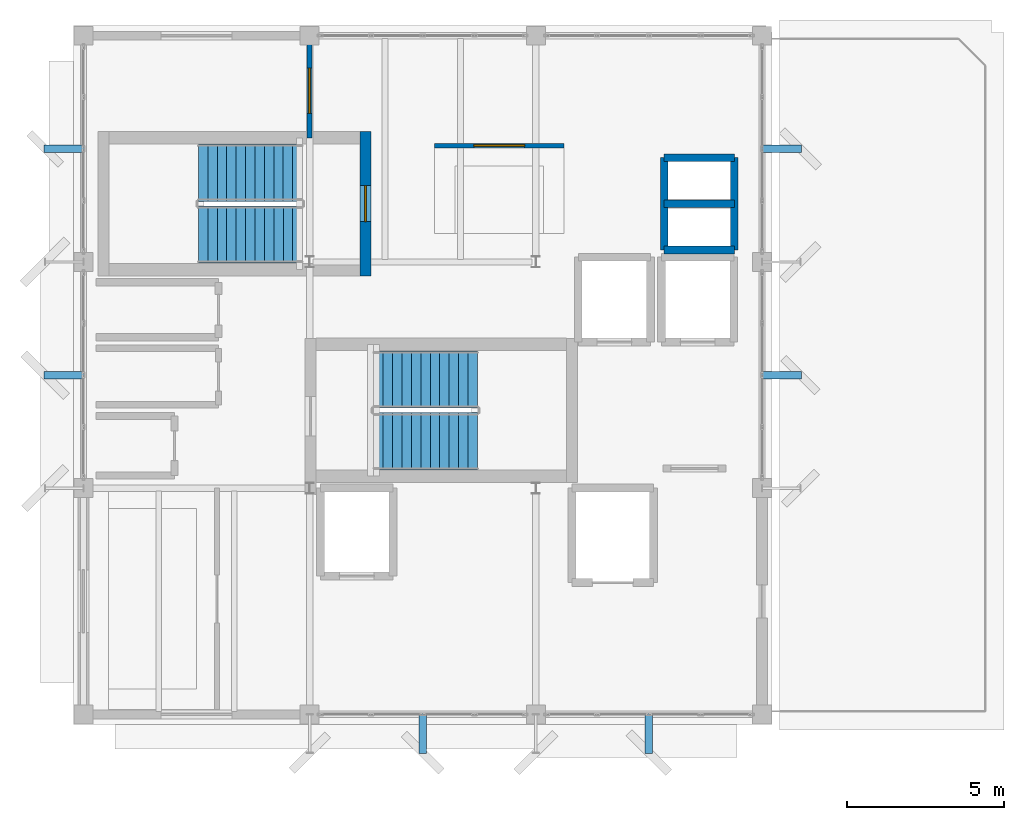
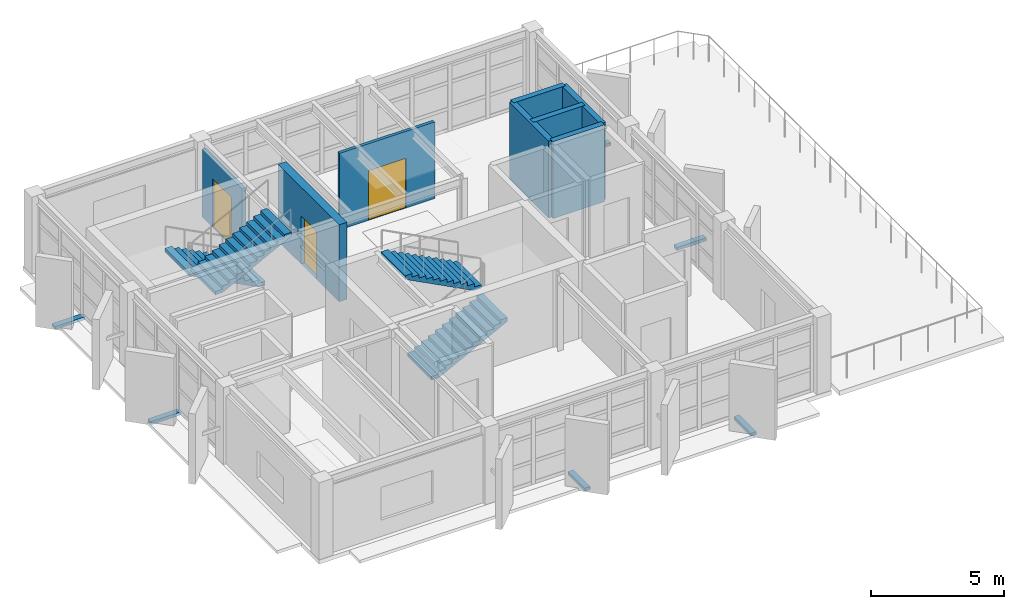
# One storey, part 10 of 13: 8 walls, 6 discrete accessories, 4 stair flights, 3 doors, 3 openings, 2 elements without a shape of their own.
"""IFC4 building model written with IfcOpenShell, lengths in metres."""

from ifc_helpers import new_model, si_unit, direction, frame, frame_2d, origin, origin_2d, place, context, subcontext, project, spatial, polyline, rectangle, outline, extrude, material, layer, layer_set, type_object, element, fill, aggregate, save


model = new_model("IFC4")

# Units and contexts
model_context = context("Model", 3, precision=1e-05, world=origin(), true_north=direction((0.0, 1.0)))
body_context = subcontext(model_context, "Body", "Model", "MODEL_VIEW")
ifc_project = project(units=[si_unit("LENGTHUNIT", "METRE"), si_unit("AREAUNIT", "SQUARE_METRE"), si_unit("VOLUMEUNIT", "CUBIC_METRE"), si_unit("PLANEANGLEUNIT", "RADIAN"), si_unit("MASSUNIT", "GRAM", prefix="KILO")], contexts=[model_context])

# Site, building, storey
site_placement = place(None, origin())
site = spatial("IfcSite", under=ifc_project, at=site_placement, CompositionType="ELEMENT")
building_placement = place(site_placement, origin())
building = spatial("IfcBuilding", under=site, at=building_placement, Name="Kandorven Conservatory and Botanical Research Centre", CompositionType="ELEMENT")
storey_placement = place(building_placement, frame((0.0, 0.0, 59.39990234375)))
storey = spatial("IfcBuildingStorey", under=building, at=storey_placement, Name="L15", CompositionType="ELEMENT", Elevation=59.39990234375)

# Wall, opening, door
ifc_material_1 = material(Name="Concrete C40/50 (M50)", Category="concrete")
ifc_layer_1 = layer(ifc_material_1, 0.35009765625)
ifc_layer_set_1 = layer_set([ifc_layer_1], Name="Concrete C40/50 (M50)")
wall_type_1 = type_object("IfcWallType", Name="Wall_CW-RC-2", PredefinedType="SHEAR", material=ifc_layer_set_1)
wall_1_placement = place(storey_placement, frame((14.97509765625, 24.550048828125, 0.0), z_axis=(0.0, 0.0, 1.0), x_axis=(0.0, -1.0, 0.0)))
wall_1 = element("IfcWall", 1, at=wall_1_placement, inside=storey, type_object=wall_type_1, Name="Core stair shear wall CW-RC-2 ST-T2 L15 entry", PredefinedType="SHEAR", context=body_context, shape_type="SweptSolid", body=[
    extrude(rectangle(XDim=4.590087890625, YDim=0.35009765625, at=frame_2d((2.294921875, 0.0))), origin(), (0.0, 0.0, 1.0), 3.530029296875),
])
opening_1_placement = place(wall_1_placement, frame((1.719970703125, 0.0, 0.0)))
opening_1 = element("IfcOpeningElement", 2, at=opening_1_placement, cuts=wall_1, Name="Opening FD-2", PredefinedType="OPENING", context=body_context, shape_type="SweptSolid", body=[
    extrude(rectangle(XDim=1.14990234375, YDim=2.199951171875, at=frame_2d((0.574951171875, 1.10009765625))), frame((0.0, 0.18505859375, 0.0), z_axis=(0.0, -1.0, 0.0), x_axis=(1.0, 0.0, 0.0)), (0.0, 0.0, 1.0), 0.3701171875),
])
ifc_material_2 = material(Name="Galvanised hollow steel fire door assembly", Category="steel")
door_type_1 = type_object("IfcDoorType", Name="Door_FD-2", OperationType="NOTDEFINED", PredefinedType="DOOR", material=ifc_material_2)
door_1_placement = place(opening_1_placement, origin())
door_1 = element("IfcDoor", 3, at=door_1_placement, inside=storey, type_object=door_type_1, Name="Exit stair fire door FD-2 ST-T2 L15", OperationType="SINGLE_SWING_RIGHT", OverallHeight=2.199951171875, OverallWidth=1.14990234375, PredefinedType="DOOR", context=body_context, shape_type="SweptSolid", body=[
    extrude(rectangle(XDim=1.14990234375, YDim=2.199951171875, at=frame_2d((0.574951171875, 1.10009765625))), frame((0.0, 0.02490234375, 0.0), z_axis=(0.0, -1.0, 0.0), x_axis=(1.0, 0.0, 0.0)), (0.0, 0.0, 1.0), 0.050048828125),
])
fill(opening_1, door_1)

# Walls
for number, where, z_axis, x_axis, name in (
    (4, (24.47998046875, 20.780029296875, 0.0), (0.0, 0.0, 1.0), (1.0, 0.0, 0.0), "Core MEP riser shaft wall CW-RC-2 L15 S"),
    (5, (24.47998046875, 22.25, 0.0), (0.0, 0.0, 1.0), (1.0, 0.0, 0.0), "Core MEP riser shaft wall CW-RC-2 L15 M"),
    (6, (24.47998046875, 23.719970703125, 0.0), (0.0, 0.0, 1.0), (1.0, 0.0, 0.0), "Core MEP riser shaft wall CW-RC-2 L15 N"),
):
    element("IfcWall", number, at=place(storey_placement, frame(where, z_axis=z_axis, x_axis=x_axis)), inside=storey, type_object=wall_type_1, Name=name, PredefinedType="SHEAR", context=body_context, shape_type="SweptSolid", body=[
        extrude(rectangle(XDim=2.239990234375, YDim=0.239990234375, at=frame_2d((1.1201171875, 0.0))), origin(), (0.0, 0.0, 1.0), 3.530029296875),
    ])
for number, where, z_axis, x_axis, name in (
    (7, (24.47998046875, 20.780029296875, 0.0), (0.0, 0.0, 1.0), (0.0, 1.0, 0.0), "Core MEP riser shaft wall CW-RC-2 L15 W"),
    (8, (26.719970703125, 20.780029296875, 0.0), (0.0, 0.0, 1.0), (0.0, 1.0, 0.0), "Core MEP riser shaft wall CW-RC-2 L15 E"),
):
    element("IfcWall", number, at=place(storey_placement, frame(where, z_axis=z_axis, x_axis=x_axis)), inside=storey, type_object=wall_type_1, Name=name, PredefinedType="SHEAR", context=body_context, shape_type="SweptSolid", body=[
        extrude(rectangle(XDim=2.93994140625, YDim=0.239990234375, at=frame_2d((1.469970703125, 0.0))), origin(), (0.0, 0.0, 1.0), 3.530029296875),
    ])

# Wall, opening, door
ifc_material_3 = material(Name="Autoclaved aerated concrete blockwork masonry", Category="masonry")
ifc_layer_2 = layer(ifc_material_3, 0.1650390625)
ifc_layer_set_2 = layer_set([ifc_layer_2], Name="Autoclaved aerated concrete blockwork masonry")
wall_type_2 = type_object("IfcWallType", Name="Wall_IW-04", PredefinedType="PARTITIONING", material=ifc_layer_set_2)
wall_2_placement = place(storey_placement, frame((13.199951171875, 24.35009765625, 0.0), z_axis=(0.0, 0.0, 1.0), x_axis=(0.0, 1.0, 0.0)))
wall_2 = element("IfcWall", 9, at=wall_2_placement, inside=storey, type_object=wall_type_2, Name="Interior partition wall IW-04 (Botanical Phenology Studio L15)", PredefinedType="PARTITIONING", context=body_context, shape_type="SweptSolid", body=[
    extrude(rectangle(XDim=3.0, YDim=0.1650390625, at=frame_2d((1.5, 0.0))), origin(), (0.0, 0.0, 1.0), 3.1201171875),
])
opening_2_placement = place(wall_2_placement, frame((0.780029296875, 0.0, 0.0)))
opening_2 = element("IfcOpeningElement", 10, at=opening_2_placement, cuts=wall_2, Name="Opening D-25", PredefinedType="OPENING", context=body_context, shape_type="SweptSolid", body=[
    extrude(rectangle(XDim=1.43994140625, YDim=2.239990234375, at=frame_2d((0.719970703125, 1.1201171875))), frame((0.0, 0.092529296875, 0.0), z_axis=(0.0, -1.0, 0.0), x_axis=(1.0, 0.0, 0.0)), (0.0, 0.0, 1.0), 0.18505859375),
])
ifc_material_4 = material(Name="Solid core acoustic teak-veneered timber leaf", Category="wood")
door_type_2 = type_object("IfcDoorType", Name="Door_D-25", OperationType="NOTDEFINED", PredefinedType="DOOR", material=ifc_material_4)
door_2_placement = place(opening_2_placement, origin())
door_2 = element("IfcDoor", 11, at=door_2_placement, inside=storey, type_object=door_type_2, Name="Interior door D-25 to Botanical Phenology Studio L15", OperationType="SINGLE_SWING_LEFT", OverallHeight=2.239990234375, OverallWidth=1.43994140625, PredefinedType="DOOR", context=body_context, shape_type="SweptSolid", body=[
    extrude(rectangle(XDim=1.43994140625, YDim=2.239990234375, at=frame_2d((0.719970703125, 1.1201171875))), frame((0.0, 0.02490234375, 0.0), z_axis=(0.0, -1.0, 0.0), x_axis=(1.0, 0.0, 0.0)), (0.0, 0.0, 1.0), 0.050048828125),
])
fill(opening_2, door_2)

ifc_material_5 = material(Name="Fire-rated acoustic gypsum board partition", Category="gypsum")
ifc_layer_3 = layer(ifc_material_5, 0.139892578125)
ifc_layer_set_3 = layer_set([ifc_layer_3], Name="Fire-rated acoustic gypsum board partition")
wall_type_3 = type_object("IfcWallType", Name="Wall_IW-06", PredefinedType="PARTITIONING", material=ifc_layer_set_3)
wall_3_placement = place(storey_placement, frame((17.169921875, 24.10009765625, 0.0), z_axis=(0.0, 0.0, 1.0), x_axis=(1.0, 0.0, 0.0)))
wall_3 = element("IfcWall", 12, at=wall_3_placement, inside=storey, type_object=wall_type_3, Name="Interior partition wall IW-06 (Visiting Botanists Research Laboratory L15)", PredefinedType="PARTITIONING", context=body_context, shape_type="SweptSolid", body=[
    extrude(rectangle(XDim=4.130126953125, YDim=0.139892578125, at=frame_2d((2.06494140625, 0.0))), origin(), (0.0, 0.0, 1.0), 3.510009765625),
])
opening_3_placement = place(wall_3_placement, frame((1.2548828125, 0.0, 0.0)))
opening_3 = element("IfcOpeningElement", 13, at=opening_3_placement, cuts=wall_3, Name="Opening D-27", PredefinedType="OPENING", context=body_context, shape_type="SweptSolid", body=[
    extrude(rectangle(XDim=1.6201171875, YDim=2.280029296875, at=frame_2d((0.81005859375, 1.14013671875))), frame((0.0, 0.079833984375, 0.0), z_axis=(0.0, -1.0, 0.0), x_axis=(1.0, 0.0, 0.0)), (0.0, 0.0, 1.0), 0.159912109375),
])
ifc_material_6 = material(Name="Solid core acoustic teak-veneered timber leaf", Category="wood")
door_type_3 = type_object("IfcDoorType", Name="Door_D-27", OperationType="NOTDEFINED", PredefinedType="DOOR", material=ifc_material_6)
door_3_placement = place(opening_3_placement, frame((1.6201171875, 0.0, 0.0), z_axis=(0.0, 0.0, 1.0), x_axis=(-1.0, 0.0, 0.0)))
door_3 = element("IfcDoor", 14, at=door_3_placement, inside=storey, type_object=door_type_3, Name="Interior door D-27 to Visiting Botanists Research Laboratory L15", OperationType="DOUBLE_DOOR_SINGLE_SWING", OverallHeight=2.280029296875, OverallWidth=1.6201171875, PredefinedType="DOOR", context=body_context, shape_type="SweptSolid", body=[
    extrude(rectangle(XDim=1.6201171875, YDim=2.280029296875, at=frame_2d((0.81005859375, 1.14013671875))), frame((0.0, 0.02490234375, 0.0), z_axis=(0.0, -1.0, 0.0), x_axis=(1.0, 0.0, 0.0)), (0.0, 0.0, 1.0), 0.050048828125),
])
fill(opening_3, door_3)

# Stair, stair flights
ifc_material_7 = material(Name="Concrete C32/40 (M40)", Category="concrete")
stair_type = type_object("IfcStairType", Name="Stair_1820", PredefinedType="HALF_TURN_STAIR", material=ifc_material_7)
stair_1_placement = place(storey_placement, origin())
stair_1 = element("IfcStair", 15, at=stair_1_placement, inside=storey, type_object=stair_type, Name="L15 Tower Fire Stair ST-T1", PredefinedType="HALF_TURN_STAIR")
ifc_material_8 = material(Name="Concrete C32/40 (M40)", Category="concrete")
ifc_layer_4 = layer(ifc_material_8, 0.14990234375)
ifc_layer_set_4 = layer_set([ifc_layer_4], Name="Concrete C32/40 (M40)")
stair_flight_type = type_object("IfcStairFlightType", Name="Flight_1820", PredefinedType="STRAIGHT", material=ifc_layer_set_4)
stair_flight_1_placement = place(storey_placement, frame((15.239990234375, 14.68994140625, 0.0), z_axis=(0.0, 0.0, 1.0), x_axis=(1.0, 0.0, 0.0)))
stair_flight_1 = element("IfcStairFlight", 16, at=stair_flight_1_placement, type_object=stair_flight_type, Name="ST-T1 flight 1", NumberOfRisers=12, NumberOfTreads=11, PredefinedType="STRAIGHT", RiserHeight=0.15625, TreadLength=0.3, context=body_context, shape_type="SweptSolid", body=[
    extrude(outline(polyline([(0.0, 0.0), (0.0, 0.15625), (0.300048828125, 0.15625), (0.300048828125, 0.3125), (0.60009765625, 0.3125), (0.60009765625, 0.46875), (0.89990234375, 0.46875), (0.89990234375, 0.625), (1.199951171875, 0.625), (1.199951171875, 0.78125), (1.5, 0.78125), (1.5, 0.9375), (1.800048828125, 0.9375), (1.800048828125, 1.09375), (2.10009765625, 1.09375), (2.10009765625, 1.25), (2.39990234375, 1.25), (2.39990234375, 1.40625), (2.699951171875, 1.40625), (2.699951171875, 1.5625), (3.0, 1.5625), (3.0, 1.71875), (3.300048828125, 1.71875), (3.300048828125, 1.875), (3.300048828125, 1.5498046875), (0.324462890625, 0.0), (0.0, 0.0)])), frame((0.0, 0.91015625, 0.0), z_axis=(0.0, -1.0, 0.0), x_axis=(1.0, 0.0, 0.0)), (0.0, 0.0, 1.0), 1.820068359375),
])
stair_flight_2_placement = place(storey_placement, frame((18.53955078125, 16.659912109375, 1.875), z_axis=(0.0, 0.0, 1.0), x_axis=(-1.0, 0.0, 0.0)))
stair_flight_2 = element("IfcStairFlight", 17, at=stair_flight_2_placement, type_object=stair_flight_type, Name="ST-T1 flight 2", NumberOfRisers=12, NumberOfTreads=11, PredefinedType="STRAIGHT", RiserHeight=0.15625, TreadLength=0.3, context=body_context, shape_type="SweptSolid", body=[
    extrude(outline(polyline([(0.0, 0.0), (0.0, 0.15625), (0.300048828125, 0.15625), (0.300048828125, 0.3125), (0.60009765625, 0.3125), (0.60009765625, 0.46875), (0.89990234375, 0.46875), (0.89990234375, 0.625), (1.199951171875, 0.625), (1.199951171875, 0.78125), (1.5, 0.78125), (1.5, 0.9375), (1.800048828125, 0.9375), (1.800048828125, 1.09375), (2.10009765625, 1.09375), (2.10009765625, 1.25), (2.39990234375, 1.25), (2.39990234375, 1.40625), (2.699951171875, 1.40625), (2.699951171875, 1.5625), (3.0, 1.5625), (3.0, 1.71875), (3.300048828125, 1.71875), (3.300048828125, 1.875), (3.300048828125, 1.5498046875), (0.324462890625, 0.0), (0.0, 0.0)])), frame((0.0, 0.91015625, 0.0), z_axis=(0.0, -1.0, 0.0), x_axis=(1.0, 0.0, 0.0)), (0.0, 0.0, 1.0), 1.820068359375),
])
aggregate(stair_1, [stair_flight_1, stair_flight_2])

stair_2_placement = place(storey_placement, origin())
stair_2 = element("IfcStair", 18, at=stair_2_placement, inside=storey, type_object=stair_type, Name="L15 Tower Fire Stair ST-T2", PredefinedType="HALF_TURN_STAIR")
stair_flight_3_placement = place(storey_placement, frame((12.9599609375, 23.239990234375, 0.0), z_axis=(0.0, 0.0, 1.0), x_axis=(-1.0, 0.0, 0.0)))
stair_flight_3 = element("IfcStairFlight", 19, at=stair_flight_3_placement, type_object=stair_flight_type, Name="ST-T2 flight 1", NumberOfRisers=12, NumberOfTreads=11, PredefinedType="STRAIGHT", RiserHeight=0.15625, TreadLength=0.3, context=body_context, shape_type="SweptSolid", body=[
    extrude(outline(polyline([(0.0, 0.0), (0.0, 0.15625), (0.300048828125, 0.15625), (0.300048828125, 0.3125), (0.60009765625, 0.3125), (0.60009765625, 0.46875), (0.89990234375, 0.46875), (0.89990234375, 0.625), (1.199951171875, 0.625), (1.199951171875, 0.78125), (1.5, 0.78125), (1.5, 0.9375), (1.800048828125, 0.9375), (1.800048828125, 1.09375), (2.10009765625, 1.09375), (2.10009765625, 1.25), (2.39990234375, 1.25), (2.39990234375, 1.40625), (2.699951171875, 1.40625), (2.699951171875, 1.5625), (3.0, 1.5625), (3.0, 1.71875), (3.300048828125, 1.71875), (3.300048828125, 1.875), (3.300048828125, 1.5498046875), (0.324462890625, 0.0), (0.0, 0.0)])), frame((0.0, 0.91015625, 0.0), z_axis=(0.0, -1.0, 0.0), x_axis=(1.0, 0.0, 0.0)), (0.0, 0.0, 1.0), 1.820068359375),
])
stair_flight_4_placement = place(storey_placement, frame((9.660400390625, 21.27001953125, 1.875), z_axis=(0.0, 0.0, 1.0), x_axis=(1.0, 0.0, 0.0)))
stair_flight_4 = element("IfcStairFlight", 20, at=stair_flight_4_placement, type_object=stair_flight_type, Name="ST-T2 flight 2", NumberOfRisers=12, NumberOfTreads=11, PredefinedType="STRAIGHT", RiserHeight=0.15625, TreadLength=0.3, context=body_context, shape_type="SweptSolid", body=[
    extrude(outline(polyline([(0.0, 0.0), (0.0, 0.15625), (0.300048828125, 0.15625), (0.300048828125, 0.3125), (0.60009765625, 0.3125), (0.60009765625, 0.46875), (0.89990234375, 0.46875), (0.89990234375, 0.625), (1.199951171875, 0.625), (1.199951171875, 0.78125), (1.5, 0.78125), (1.5, 0.9375), (1.800048828125, 0.9375), (1.800048828125, 1.09375), (2.10009765625, 1.09375), (2.10009765625, 1.25), (2.39990234375, 1.25), (2.39990234375, 1.40625), (2.699951171875, 1.40625), (2.699951171875, 1.5625), (3.0, 1.5625), (3.0, 1.71875), (3.300048828125, 1.71875), (3.300048828125, 1.875), (3.300048828125, 1.5498046875), (0.324462890625, 0.0), (0.0, 0.0)])), frame((0.0, 0.91015625, 0.0), z_axis=(0.0, -1.0, 0.0), x_axis=(1.0, 0.0, 0.0)), (0.0, 0.0, 1.0), 1.820068359375),
])
aggregate(stair_2, [stair_flight_3, stair_flight_4])

# Discrete accessories
ifc_material_9 = material(Name="Steel S355 (IS 2062 E350)", Category="steel")
discrete_accessory_type = type_object("IfcDiscreteAccessoryType", Name="JaliBracket", PredefinedType="BRACKET", material=ifc_material_9)
for number, where, z_axis, x_axis, name in (
    (21, (16.800048828125, 5.389892578125, -0.1298828125), (0.0, 0.0, 1.0), (1.0, 0.0, 0.0), "Stainless steel fin support bracket BRK-01 #134"),
    (22, (24.0, 5.389892578125, -0.1298828125), (0.0, 0.0, 1.0), (1.0, 0.0, 0.0), "Stainless steel fin support bracket BRK-01 #136"),
):
    element("IfcDiscreteAccessory", number, at=place(storey_placement, frame(where, z_axis=z_axis, x_axis=x_axis)), inside=storey, type_object=discrete_accessory_type, Name=name, PredefinedType="BRACKET", context=body_context, shape_type="SweptSolid", body=[
        extrude(rectangle(XDim=0.239990234375, YDim=1.280029296875, at=origin_2d()), origin(), (0.0, 0.0, 1.0), 0.139892578125),
    ])
for number, where, z_axis, x_axis, name in (
    (23, (5.389892578125, 16.800048828125, -0.1298828125), (0.0, 0.0, 1.0), (1.0, 0.0, 0.0), "Stainless steel fin support bracket BRK-01 #138"),
    (24, (5.389892578125, 24.0, -0.1298828125), (0.0, 0.0, 1.0), (1.0, 0.0, 0.0), "Stainless steel fin support bracket BRK-01 #140"),
    (25, (28.2099609375, 16.800048828125, -0.1298828125), (0.0, 0.0, 1.0), (1.0, 0.0, 0.0), "Stainless steel fin support bracket BRK-01 #142"),
    (26, (28.2099609375, 24.0, -0.1298828125), (0.0, 0.0, 1.0), (1.0, 0.0, 0.0), "Stainless steel fin support bracket BRK-01 #144"),
):
    element("IfcDiscreteAccessory", number, at=place(storey_placement, frame(where, z_axis=z_axis, x_axis=x_axis)), inside=storey, type_object=discrete_accessory_type, Name=name, PredefinedType="BRACKET", context=body_context, shape_type="SweptSolid", body=[
        extrude(rectangle(XDim=1.280029296875, YDim=0.239990234375, at=origin_2d()), origin(), (0.0, 0.0, 1.0), 0.139892578125),
    ])

save(model, "model.ifc")
